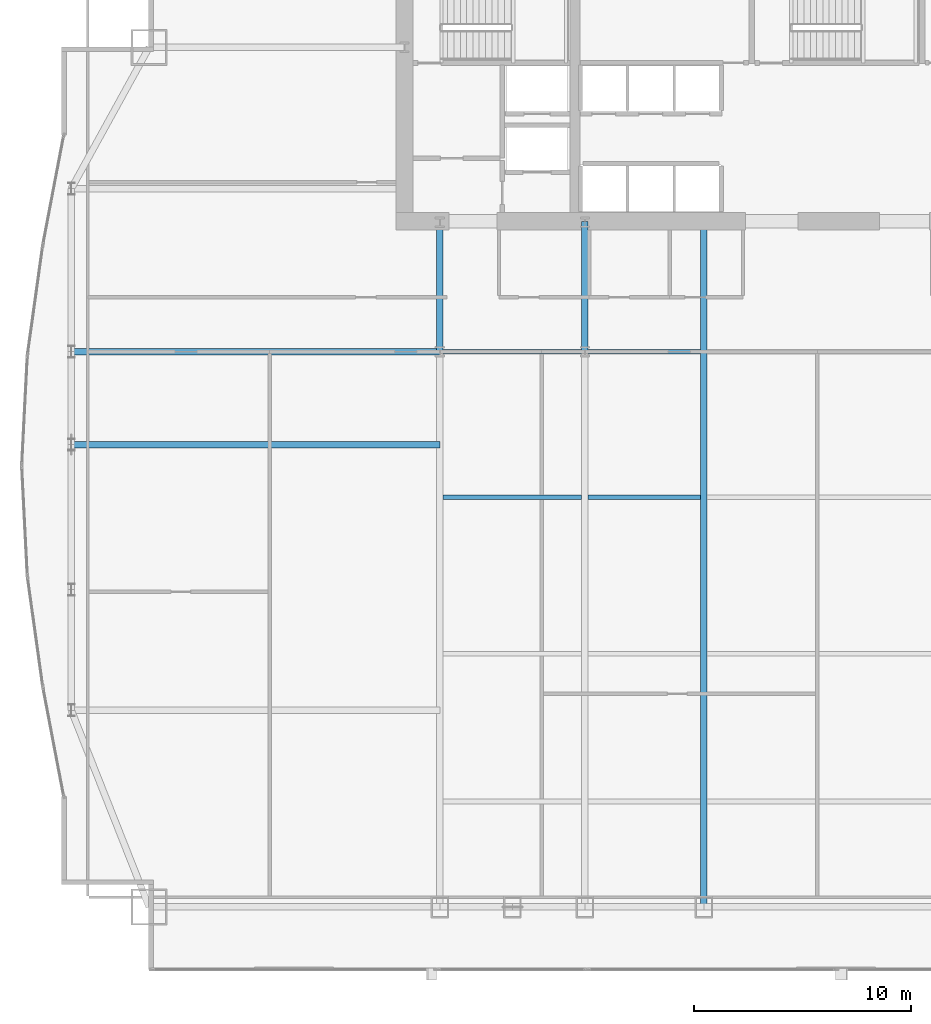
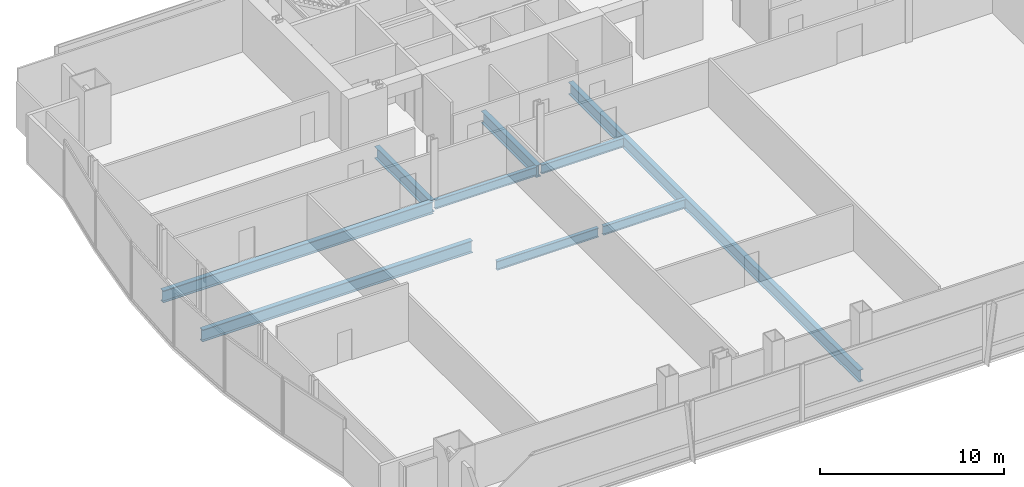
# One storey, part 11 of 37: 9 beams.
"""IFC4 building model written with IfcOpenShell, lengths in metres."""

from ifc_helpers import new_model, si_unit, direction, frame, origin, origin_2d, place, context, subcontext, project, spatial, i_section, extrude, material, material_profile, profile_set, type_object, element, save


model = new_model("IFC4")

# Units and contexts
model_context = context("Model", 3, precision=1e-05, world=origin(), true_north=direction((0.0, 1.0)))
body_context = subcontext(model_context, "Body", "Model", "MODEL_VIEW")
ifc_project = project(units=[si_unit("LENGTHUNIT", "METRE"), si_unit("AREAUNIT", "SQUARE_METRE"), si_unit("VOLUMEUNIT", "CUBIC_METRE"), si_unit("PLANEANGLEUNIT", "RADIAN"), si_unit("MASSUNIT", "GRAM", prefix="KILO")], contexts=[model_context])

# Site, building, storey
site_placement = place(None, origin())
site = spatial("IfcSite", under=ifc_project, at=site_placement, CompositionType="ELEMENT")
building_placement = place(site_placement, origin())
building = spatial("IfcBuilding", under=site, at=building_placement, Name="Khoronbel Lancet Exchange", CompositionType="ELEMENT")
storey_placement = place(building_placement, frame((0.0, 0.0, 45.800048828125)))
storey = spatial("IfcBuildingStorey", under=building, at=storey_placement, Name="L10", CompositionType="ELEMENT", Elevation=45.800048828125)

# Beams
ifc_material = material(Name="Steel S355", Category="steel")
ifc_material_profile_1 = material_profile(ifc_material, i_section(OverallWidth=0.300048828125, OverallDepth=0.800048828125, WebThickness=0.017578125, FlangeThickness=0.032958984375, at=origin_2d()), Name="HEB 800")
ifc_profile_set_1 = profile_set([ifc_material_profile_1], Name="Steel S355")
beam_type_1 = type_object("IfcBeamType", Name="BM-BG2", PredefinedType="BEAM", material=ifc_profile_set_1)
for number, where, z_axis, x_axis, name in (
    (1, (18.22509765625, 35.699951171875, -0.580078125), (0.0, 1.0, 0.0), (-1.0, 0.0, 0.0), "Level L10 spine tie girder GN1"),
    (2, (24.89990234375, 35.699951171875, -0.580078125), (0.0, 1.0, 0.0), (-1.0, 0.0, 0.0), "Level L10 spine tie girder GN2"),
):
    element("IfcBeam", number, at=place(storey_placement, frame(where, z_axis=z_axis, x_axis=x_axis)), inside=storey, type_object=beam_type_1, Name=name, PredefinedType="BEAM", context=body_context, shape_type="SweptSolid", body=[
        extrude(i_section(OverallWidth=0.300048828125, OverallDepth=0.800048828125, WebThickness=0.017578125, FlangeThickness=0.032958984375, at=origin_2d()), origin(), (0.0, 0.0, 1.0), 6.0),
    ])
beam_1_placement = place(storey_placement, frame((30.375, 10.14990234375, -0.580078125), z_axis=(0.0, 1.0, 0.0), x_axis=(-1.0, 0.0, 0.0)))
element("IfcBeam", 3, at=beam_1_placement, inside=storey, type_object=beam_type_1, Name="Level L10 primary floor girder G3", PredefinedType="BEAM", context=body_context, shape_type="SweptSolid", body=[
    extrude(i_section(OverallWidth=0.300048828125, OverallDepth=0.800048828125, WebThickness=0.017578125, FlangeThickness=0.032958984375, at=origin_2d()), origin(), (0.0, 0.0, 1.0), 31.550048828125),
])
for number, where, z_axis, x_axis, name in (
    (4, (1.27001953125, 31.425048828125, -0.580078125), (1.0, 0.0, 0.0), (0.0, 1.0, 0.0), "Level L10 west lens tie girder LG2W"),
    (5, (1.27001953125, 35.699951171875, -0.580078125), (1.0, 0.0, 0.0), (0.0, 1.0, 0.0), "Level L10 west lens tie girder LG4W"),
):
    element("IfcBeam", number, at=place(storey_placement, frame(where, z_axis=z_axis, x_axis=x_axis)), inside=storey, type_object=beam_type_1, Name=name, PredefinedType="BEAM", context=body_context, shape_type="SweptSolid", body=[
        extrude(i_section(OverallWidth=0.300048828125, OverallDepth=0.800048828125, WebThickness=0.017578125, FlangeThickness=0.032958984375, at=origin_2d()), origin(), (0.0, 0.0, 1.0), 16.955078125),
    ])
ifc_material_profile_2 = material_profile(ifc_material, i_section(OverallWidth=0.219970703125, OverallDepth=0.60009765625, WebThickness=0.011962890625, FlangeThickness=0.01904296875, at=origin_2d()), Name="IPE 600")
ifc_profile_set_2 = profile_set([ifc_material_profile_2], Name="Steel S355")
beam_type_2 = type_object("IfcBeamType", Name="BM-BJ1", PredefinedType="JOIST", material=ifc_profile_set_2)
beam_2_placement = place(storey_placement, frame((18.375, 29.0, -0.47998046875), z_axis=(1.0, 0.0, 0.0), x_axis=(0.0, 1.0, 0.0)))
element("IfcBeam", 6, at=beam_2_placement, inside=storey, type_object=beam_type_2, Name="Level L10 secondary composite joist J11", PredefinedType="JOIST", context=body_context, shape_type="SweptSolid", body=[
    extrude(i_section(OverallWidth=0.219970703125, OverallDepth=0.60009765625, WebThickness=0.011962890625, FlangeThickness=0.01904296875, at=origin_2d()), origin(), (0.0, 0.0, 1.0), 6.375),
])
beam_3_placement = place(storey_placement, frame((25.050048828125, 29.0, -0.47998046875), z_axis=(1.0, 0.0, 0.0), x_axis=(0.0, 1.0, 0.0)))
element("IfcBeam", 7, at=beam_3_placement, inside=storey, type_object=beam_type_2, Name="Level L10 secondary composite joist J12", PredefinedType="JOIST", context=body_context, shape_type="SweptSolid", body=[
    extrude(i_section(OverallWidth=0.219970703125, OverallDepth=0.60009765625, WebThickness=0.011962890625, FlangeThickness=0.01904296875, at=origin_2d()), origin(), (0.0, 0.0, 1.0), 5.175048828125),
])
beam_4_placement = place(storey_placement, frame((18.375, 35.699951171875, -0.47998046875), z_axis=(1.0, 0.0, 0.0), x_axis=(0.0, 1.0, 0.0)))
element("IfcBeam", 8, at=beam_4_placement, inside=storey, type_object=beam_type_2, Name="Level L10 secondary composite joist J16", PredefinedType="JOIST", context=body_context, shape_type="SweptSolid", body=[
    extrude(i_section(OverallWidth=0.219970703125, OverallDepth=0.60009765625, WebThickness=0.011962890625, FlangeThickness=0.01904296875, at=origin_2d()), origin(), (0.0, 0.0, 1.0), 6.375),
])
beam_5_placement = place(storey_placement, frame((25.050048828125, 35.699951171875, -0.47998046875), z_axis=(1.0, 0.0, 0.0), x_axis=(0.0, 1.0, 0.0)))
element("IfcBeam", 9, at=beam_5_placement, inside=storey, type_object=beam_type_2, Name="Level L10 secondary composite joist J17", PredefinedType="JOIST", context=body_context, shape_type="SweptSolid", body=[
    extrude(i_section(OverallWidth=0.219970703125, OverallDepth=0.60009765625, WebThickness=0.011962890625, FlangeThickness=0.01904296875, at=origin_2d()), origin(), (0.0, 0.0, 1.0), 5.175048828125),
])

save(model, "model.ifc")
